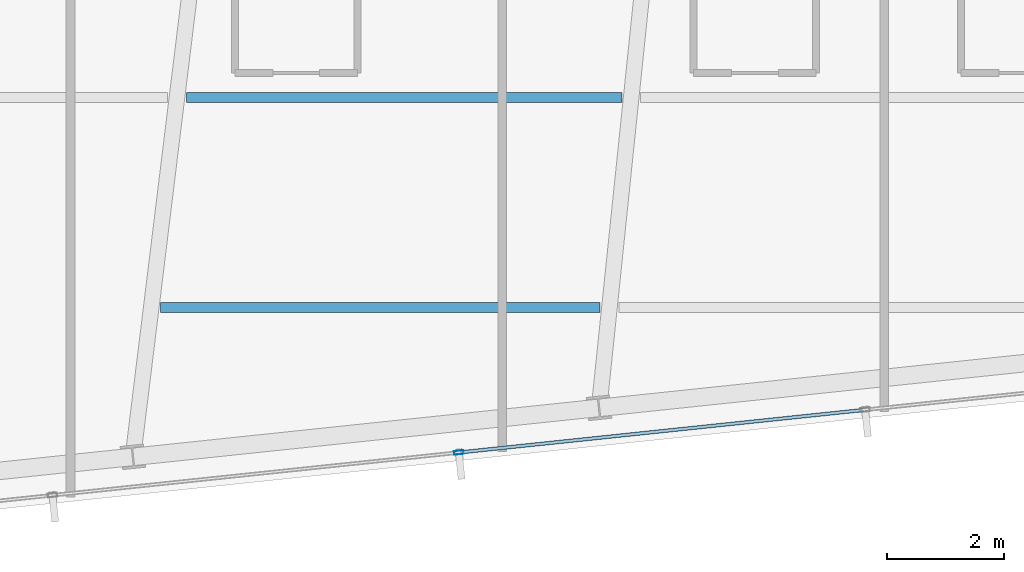
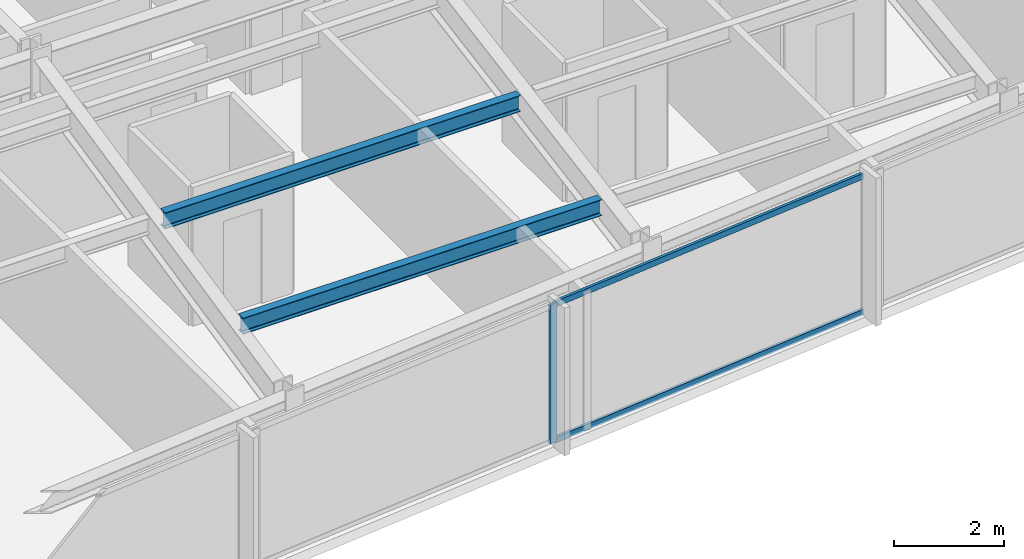
# One storey, part 7 of 33: 3 members, 2 beams, 1 element without a shape of its own.
"""IFC4 building model written with IfcOpenShell, lengths in metres."""

from ifc_helpers import new_model, si_unit, direction, frame, origin, origin_2d, place, context, subcontext, project, spatial, hollow_rectangle, i_section, extrude, material, material_profile, profile_set, type_object, element, aggregate, save


model = new_model("IFC4")

# Units and contexts
model_context = context("Model", 3, precision=1e-05, world=origin(), true_north=direction((0.0, 1.0)))
body_context = subcontext(model_context, "Body", "Model", "MODEL_VIEW")
ifc_project = project(units=[si_unit("LENGTHUNIT", "METRE"), si_unit("AREAUNIT", "SQUARE_METRE"), si_unit("VOLUMEUNIT", "CUBIC_METRE"), si_unit("PLANEANGLEUNIT", "RADIAN"), si_unit("MASSUNIT", "GRAM", prefix="KILO")], contexts=[model_context])

# Site, building, storey
site_placement = place(None, origin())
site = spatial("IfcSite", under=ifc_project, at=site_placement, CompositionType="ELEMENT")
building_placement = place(site_placement, origin())
building = spatial("IfcBuilding", under=site, at=building_placement, Name="Yelkora Congress Tower", CompositionType="ELEMENT")
storey_placement = place(building_placement, frame((0.0, 0.0, 224.300048828125)))
storey = spatial("IfcBuildingStorey", under=building, at=storey_placement, Name="L62", CompositionType="ELEMENT", Elevation=224.300048828125)

# Beams
ifc_material_1 = material(Name="Steel S355J2", Category="steel")
ifc_material_profile_1 = material_profile(ifc_material_1, i_section(OverallWidth=0.169921875, OverallDepth=0.360107421875, WebThickness=0.008056640625, FlangeThickness=0.0126953125, FilletRadius=0.01806640625, at=origin_2d()), Name="IPE 360")
ifc_profile_set_1 = profile_set([ifc_material_profile_1], Name="Steel S355J2")
beam_type = type_object("IfcBeamType", Name="BM-JOIST-IPE360", PredefinedType="JOIST", material=ifc_profile_set_1)
beam_1_placement = place(storey_placement, frame((29.76220703125, 16.07861328125, 2.89990234375), z_axis=(1.0, 0.0, 0.0), x_axis=(0.0, 1.0, 0.0)))
element("IfcBeam", 1, at=beam_1_placement, inside=storey, type_object=beam_type, Name="L62 Composite Floor Joist 1", PredefinedType="JOIST", context=body_context, shape_type="SweptSolid", body=[
    extrude(i_section(OverallWidth=0.169921875, OverallDepth=0.360107421875, WebThickness=0.008056640625, FlangeThickness=0.0126953125, FilletRadius=0.01806640625, at=origin_2d()), origin(), (0.0, 0.0, 1.0), 7.53369140625),
])
beam_2_placement = place(storey_placement, frame((30.203369140625, 19.678466796875, 2.89990234375), z_axis=(1.0, 0.0, 0.0), x_axis=(0.0, 1.0, 0.0)))
element("IfcBeam", 2, at=beam_2_placement, inside=storey, type_object=beam_type, Name="L62 Composite Floor Joist 4", PredefinedType="JOIST", context=body_context, shape_type="SweptSolid", body=[
    extrude(i_section(OverallWidth=0.169921875, OverallDepth=0.360107421875, WebThickness=0.008056640625, FlangeThickness=0.0126953125, FilletRadius=0.01806640625, at=origin_2d()), origin(), (0.0, 0.0, 1.0), 7.465087890625),
])

# Curtain wall, members
ifc_material_2 = material(Name="Anodised aluminium and insulated glass", Category="aluminium")
curtain_wall_type = type_object("IfcCurtainWallType", Name="CW-SYS-B4", PredefinedType="NOTDEFINED", material=ifc_material_2)
curtain_wall_placement = place(storey_placement, origin())
curtain_wall = element("IfcCurtainWall", 3, at=curtain_wall_placement, inside=storey, type_object=curtain_wall_type, Name="L62 Unitised Curtain Wall 20", PredefinedType="NOTDEFINED")
ifc_material_3 = material(Name="Anodised aluminium 6063-T6", Category="aluminium")
ifc_material_profile_2 = material_profile(ifc_material_3, hollow_rectangle(XDim=0.06494140625, YDim=0.159912109375, WallThickness=0.00390625, at=origin_2d()), Name="ALU 65x160x4")
ifc_profile_set_2 = profile_set([ifc_material_profile_2], Name="Anodised aluminium 6063-T6")
member_type_1 = type_object("IfcMemberType", Name="MEM-ML-B4", PredefinedType="MULLION", material=ifc_profile_set_2)
member_1_placement = place(storey_placement, frame((34.87353515625, 13.592529296875, 0.0), z_axis=(0.0, 0.0, 1.0), x_axis=(0.104526664994, -0.994522084373, 0.0)))
member_1 = element("IfcMember", 4, at=member_1_placement, type_object=member_type_1, Name="CW-B4 mullion 6", PredefinedType="MULLION", context=body_context, shape_type="SweptSolid", body=[
    extrude(hollow_rectangle(XDim=0.06494140625, YDim=0.159912109375, WallThickness=0.00390625, at=origin_2d()), origin(), (0.0, 0.0, 1.0), 3.079833984375),
])
ifc_material_profile_3 = material_profile(ifc_material_3, hollow_rectangle(XDim=0.06005859375, YDim=0.1298828125, WallThickness=0.00390625, at=origin_2d()), Name="ALU 60x130x4")
ifc_profile_set_3 = profile_set([ifc_material_profile_3], Name="Anodised aluminium 6063-T6")
member_type_2 = type_object("IfcMemberType", Name="MEM-TR-B4", PredefinedType="USERDEFINED", material=ifc_profile_set_3)
member_2_placement = place(storey_placement, frame((41.8056640625, 14.321044921875, 0.030029296875), z_axis=(-0.99452317859, -0.104516253509, 0.0), x_axis=(0.104516253509, -0.99452317859, 0.0)))
member_2 = element("IfcMember", 5, at=member_2_placement, type_object=member_type_2, Name="CW-B4 transom 5.1", ObjectType="TRANSOM", PredefinedType="USERDEFINED", context=body_context, shape_type="SweptSolid", body=[
    extrude(hollow_rectangle(XDim=0.06005859375, YDim=0.1298828125, WallThickness=0.00390625, at=origin_2d()), origin(), (0.0, 0.0, 1.0), 6.937744140625),
])
member_3_placement = place(storey_placement, frame((41.8056640625, 14.321044921875, 3.050048828125), z_axis=(-0.99452317859, -0.104516253509, 0.0), x_axis=(0.104516253509, -0.99452317859, 0.0)))
member_3 = element("IfcMember", 6, at=member_3_placement, type_object=member_type_2, Name="CW-B4 transom 5.2", ObjectType="TRANSOM", PredefinedType="USERDEFINED", context=body_context, shape_type="SweptSolid", body=[
    extrude(hollow_rectangle(XDim=0.06005859375, YDim=0.1298828125, WallThickness=0.00390625, at=origin_2d()), origin(), (0.0, 0.0, 1.0), 6.937744140625),
])
aggregate(curtain_wall, [member_1, member_2, member_3])

save(model, "model.ifc")
